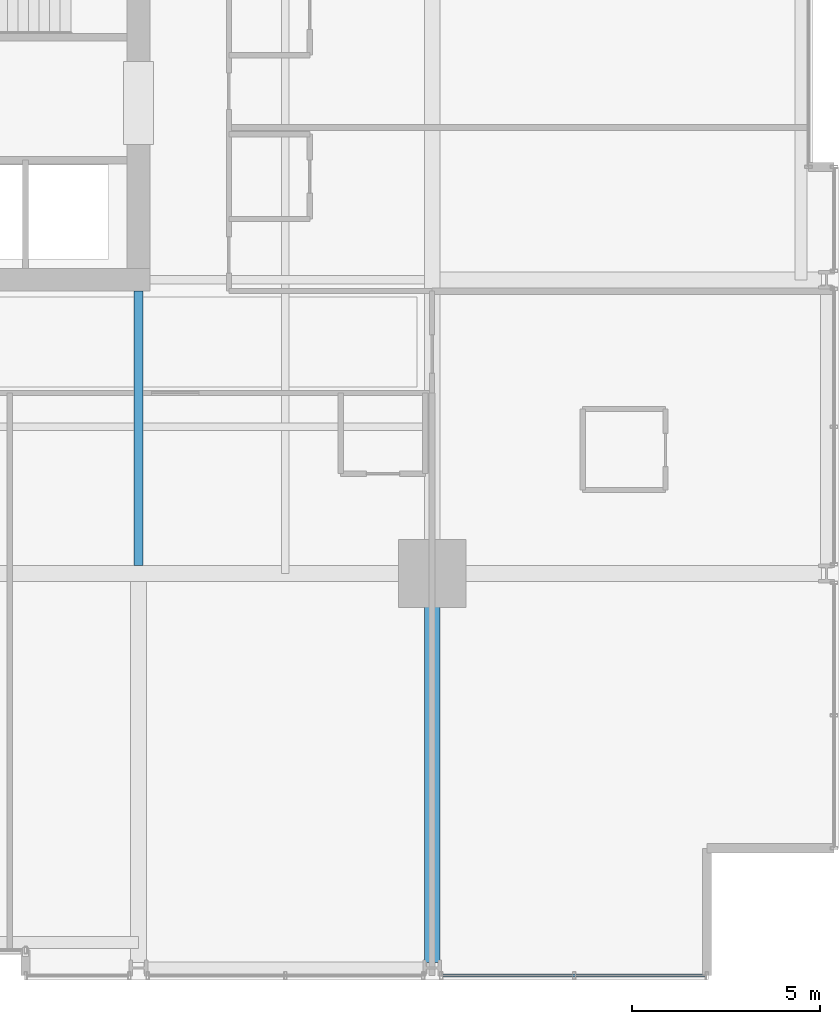
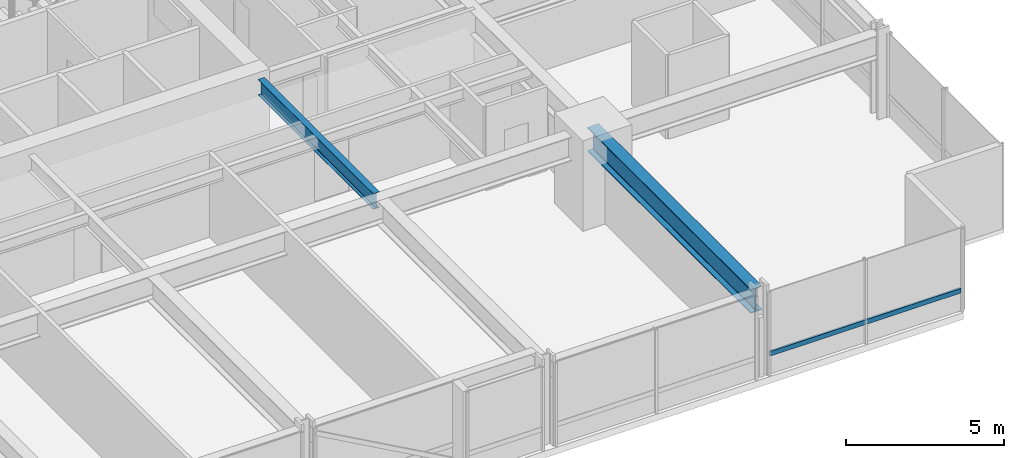
# One storey, part 12 of 37: 2 beams, 1 member, 1 element without a shape of its own.
"""IFC4 building model written with IfcOpenShell, lengths in metres."""

from ifc_helpers import new_model, si_unit, direction, frame, origin, origin_2d, place, context, subcontext, project, spatial, hollow_rectangle, i_section, extrude, material, layer, layer_set, material_profile, profile_set, type_object, element, aggregate, save


model = new_model("IFC4")

# Units and contexts
model_context = context("Model", 3, precision=1e-05, world=origin(), true_north=direction((0.0, 1.0)))
body_context = subcontext(model_context, "Body", "Model", "MODEL_VIEW")
ifc_project = project(units=[si_unit("LENGTHUNIT", "METRE"), si_unit("AREAUNIT", "SQUARE_METRE"), si_unit("VOLUMEUNIT", "CUBIC_METRE"), si_unit("PLANEANGLEUNIT", "RADIAN"), si_unit("MASSUNIT", "GRAM", prefix="KILO")], contexts=[model_context])

# Site, building, storey
site_placement = place(None, origin())
site = spatial("IfcSite", under=ifc_project, at=site_placement, CompositionType="ELEMENT")
building_placement = place(site_placement, origin())
building = spatial("IfcBuilding", under=site, at=building_placement, Name="Drelvath Grand Hotel", CompositionType="ELEMENT")
storey_placement = place(building_placement, frame((0.0, 0.0, 43.699951171875)))
storey = spatial("IfcBuildingStorey", under=building, at=storey_placement, Name="L09", CompositionType="ELEMENT", Elevation=43.699951171875)

# Curtain wall, member
ifc_material_1 = material(Name="Warm Bronze Anodised Aluminium Frame", Category="aluminium")
ifc_layer = layer(ifc_material_1, 0.199951171875)
ifc_layer_set = layer_set([ifc_layer], Name="Warm Bronze Anodised Aluminium Frame")
curtain_wall_type = type_object("IfcCurtainWallType", Name="Stick Curtain Wall CW-02 Warm Bronze Low-Rise", PredefinedType="NOTDEFINED", material=ifc_layer_set)
curtain_wall_placement = place(storey_placement, origin())
curtain_wall = element("IfcCurtainWall", 1, at=curtain_wall_placement, inside=storey, type_object=curtain_wall_type, Name="L09 CW-02 Curtain Wall CW02-L09-SE3", PredefinedType="NOTDEFINED")
ifc_material_profile_1 = material_profile(ifc_material_1, hollow_rectangle(XDim=0.074951171875, YDim=0.179931640625, WallThickness=0.0048828125, at=origin_2d()), Name="HSS180X75X5")
ifc_profile_set_1 = profile_set([ifc_material_profile_1], Name="Warm Bronze Anodised Aluminium Frame")
member_type = type_object("IfcMemberType", Name="Curtain Wall Horizontal Transom CW-02 HSS180X75X5", PredefinedType="USERDEFINED", material=ifc_profile_set_1)
member_placement = place(storey_placement, frame((23.4599609375, 0.1201171875, 0.81005859375), z_axis=(-1.0, 0.0, 0.0), x_axis=(0.0, -1.0, 0.0)))
member = element("IfcMember", 2, at=member_placement, type_object=member_type, Name="CW02-L09-SE3 Sill Transom", ObjectType="TRANSOM", PredefinedType="USERDEFINED", context=body_context, shape_type="SweptSolid", body=[
    extrude(hollow_rectangle(XDim=0.074951171875, YDim=0.179931640625, WallThickness=0.0048828125, at=origin_2d()), origin(), (0.0, 0.0, 1.0), 6.97900390625),
])
aggregate(curtain_wall, [member])

# Beams
ifc_material_2 = material(Name="Steel ASTM A992 Gr 50", Category="steel")
ifc_material_profile_2 = material_profile(ifc_material_2, i_section(OverallWidth=0.228271484375, OverallDepth=0.607666015625, WebThickness=0.01123046875, FlangeThickness=0.017333984375, FilletRadius=0.02001953125, at=origin_2d()), Name="W24X76")
ifc_profile_set_2 = profile_set([ifc_material_profile_2], Name="Steel ASTM A992 Gr 50")
beam_type_1 = type_object("IfcBeamType", Name="Primary Floor Girder W24X76", PredefinedType="BEAM", material=ifc_profile_set_2)
beam_1_placement = place(storey_placement, frame((8.39990234375, 11.00927734375, 2.936279296875), z_axis=(0.0, 1.0, 0.0), x_axis=(-1.0, 0.0, 0.0)))
element("IfcBeam", 3, at=beam_1_placement, inside=storey, type_object=beam_type_1, Name="L09 South Core Tie 6", PredefinedType="BEAM", context=body_context, shape_type="SweptSolid", body=[
    extrude(i_section(OverallWidth=0.228271484375, OverallDepth=0.607666015625, WebThickness=0.01123046875, FlangeThickness=0.017333984375, FilletRadius=0.02001953125, at=origin_2d()), origin(), (0.0, 0.0, 1.0), 7.290771484375),
])
ifc_material_profile_3 = material_profile(ifc_material_2, i_section(OverallWidth=0.418212890625, OverallDepth=0.926513671875, WebThickness=0.019287109375, FlangeThickness=0.031982421875, FilletRadius=0.028076171875, at=origin_2d()), Name="W36X231")
ifc_profile_set_3 = profile_set([ifc_material_profile_3], Name="Steel ASTM A992 Gr 50")
beam_type_2 = type_object("IfcBeamType", Name="Primary Floor Girder W36X231", PredefinedType="BEAM", material=ifc_profile_set_3)
beam_2_placement = place(storey_placement, frame((16.199951171875, 0.4599609375, 2.77685546875), z_axis=(0.0, 1.0, 0.0), x_axis=(-1.0, 0.0, 0.0)))
element("IfcBeam", 4, at=beam_2_placement, inside=storey, type_object=beam_type_2, Name="L09 South Grid Girder 7", PredefinedType="BEAM", context=body_context, shape_type="SweptSolid", body=[
    extrude(i_section(OverallWidth=0.418212890625, OverallDepth=0.926513671875, WebThickness=0.019287109375, FlangeThickness=0.031982421875, FilletRadius=0.028076171875, at=origin_2d()), origin(), (0.0, 0.0, 1.0), 10.340087890625),
])

save(model, "model.ifc")
